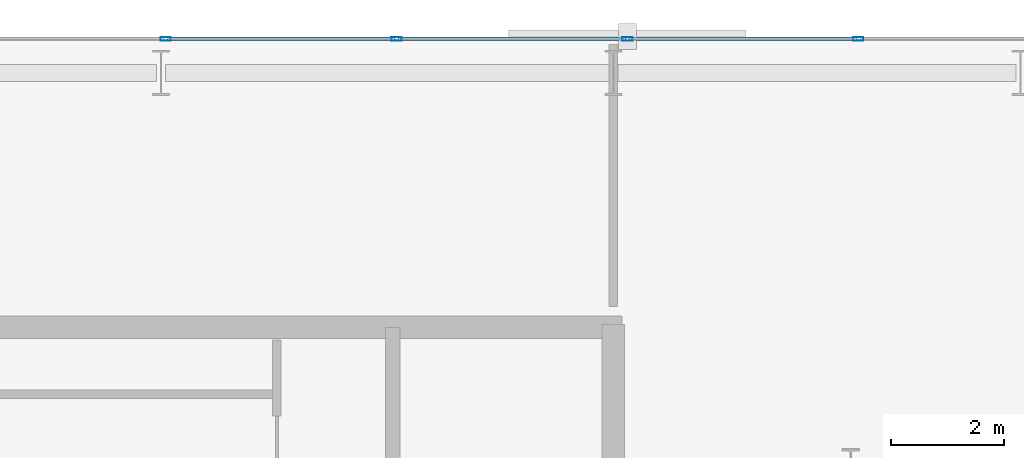
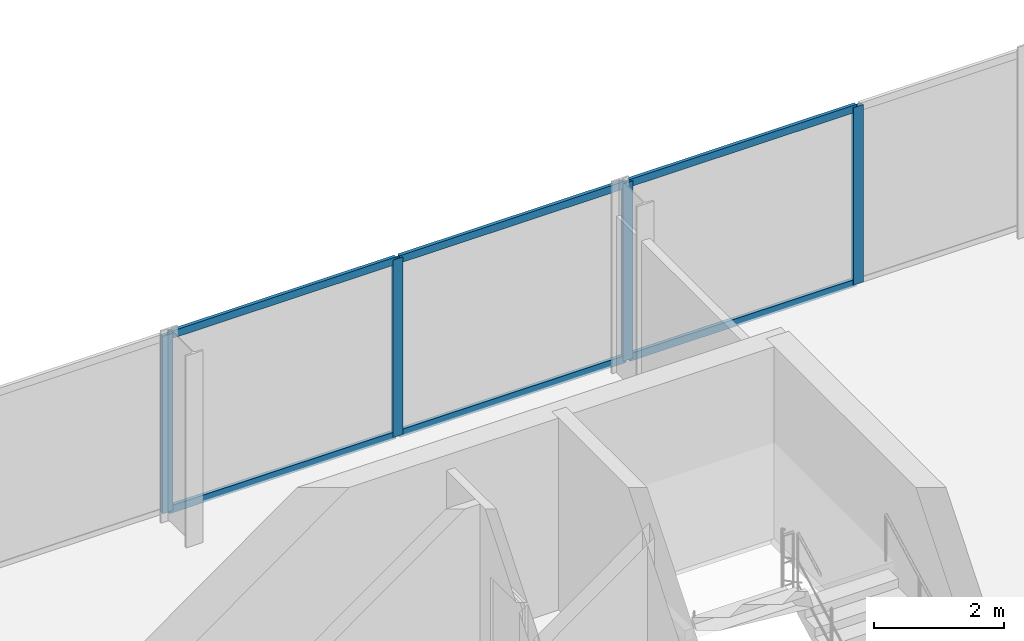
# One storey, part 26 of 33: 10 members, 1 element without a shape of its own.
"""IFC4 building model written with IfcOpenShell, lengths in metres."""

import ifcopenshell
import ifcopenshell.guid

model = None  # the IFC model being written
_history = None  # IfcOwnerHistory: only IFC2X3 demands one
_inside = {}  # id of a spatial element -> (the spatial element, [elements in it])
_under = {}  # id of a project, library or spatial element -> (it, [spatial elements below it])
_declared = {}  # id of a project -> (the project, [libraries it declares])
_typed = {}  # id of a type object -> (the type object, [elements of that type])
_made_of = {}  # id of a material, layer set ... -> (it, [elements and type objects made of it])


def new_model(schema):
    """Start an empty IFC model of exactly this schema.

    Asked for "IFC4X3", IfcOpenShell would pick the latest addendum, in which some entities
    have other attributes; the version numbers below select the first issue.
    IFC2X3 requires an IfcOwnerHistory on every rooted entity: one is made here for all.
    """
    global model, _history
    if schema == "IFC4X3":
        model = ifcopenshell.file(schema_version=(4, 3, 0, 0))
    else:
        model = ifcopenshell.file(schema=schema)
    _inside.clear()
    _under.clear()
    _declared.clear()
    _typed.clear()
    _made_of.clear()
    _history = None
    if model.schema == "IFC2X3":
        org = make("IfcOrganization", Name="unknown")
        user = make(
            "IfcPersonAndOrganization",
            ThePerson=make("IfcPerson", FamilyName="unknown"),
            TheOrganization=org,
        )
        app = make(
            "IfcApplication",
            ApplicationDeveloper=org,
            Version="unknown",
            ApplicationFullName="unknown",
            ApplicationIdentifier="unknown",
        )
        _history = make(
            "IfcOwnerHistory",
            OwningUser=user,
            OwningApplication=app,
            ChangeAction="ADDED",
            CreationDate=0,
        )
    return model


def make(cls, **values):
    """One entity of the class cls with the attributes given. An attribute that is None is left unset."""
    return model.create_entity(
        cls, **{name: value for name, value in values.items() if value is not None}
    )


def rooted(cls, **values):
    """An entity with a GlobalId (a new one), such as an element, a storey or a relation."""
    return make(cls, GlobalId=ifcopenshell.guid.new(), OwnerHistory=_history, **values)


def si_unit(unit_type, name, prefix=None):
    """IfcSIUnit, for example si_unit("LENGTHUNIT", "METRE", prefix="MILLI")."""
    return make("IfcSIUnit", UnitType=unit_type, Prefix=prefix, Name=name)


def assignment(units):
    """IfcUnitAssignment: the units of a project."""
    return None if units is None else make("IfcUnitAssignment", Units=units)


def point(xyz):
    """IfcCartesianPoint."""
    return None if xyz is None else make("IfcCartesianPoint", Coordinates=xyz)


def direction(xyz):
    """IfcDirection."""
    return None if xyz is None else make("IfcDirection", DirectionRatios=xyz)


def frame(location, z_axis=None, x_axis=None):
    """IfcAxis2Placement3D, a coordinate frame: its origin and axes. An axis left out is left unset."""
    return make(
        "IfcAxis2Placement3D",
        Location=point(location),
        Axis=direction(z_axis),
        RefDirection=direction(x_axis),
    )


def frame_2d(location, x_axis=None):
    """IfcAxis2Placement2D, a coordinate frame in the plane: its origin and x axis."""
    return make(
        "IfcAxis2Placement2D", Location=point(location), RefDirection=direction(x_axis)
    )


def origin():
    """The frame at (0, 0, 0) with its axes left unset."""
    return frame((0.0, 0.0, 0.0))


def origin_2d():
    """The frame at (0, 0) in the plane with its x axis left unset."""
    return frame_2d((0.0, 0.0))


def place(relative_to, where):
    """IfcLocalPlacement: puts the frame where relative to a parent placement (None: the world)."""
    return make(
        "IfcLocalPlacement", PlacementRelTo=relative_to, RelativePlacement=where
    )


def context(
    kind, dimensions, precision=None, world=None, true_north=None, identifier=None
):
    """IfcGeometricRepresentationContext, for example the 3D "Model" context."""
    return make(
        "IfcGeometricRepresentationContext",
        ContextIdentifier=identifier,
        ContextType=kind,
        CoordinateSpaceDimension=dimensions,
        Precision=precision,
        WorldCoordinateSystem=world,
        TrueNorth=true_north,
    )


def subcontext(parent, identifier, kind, view, scale=None):
    """IfcGeometricRepresentationSubContext, for example "Body" below "Model"."""
    return make(
        "IfcGeometricRepresentationSubContext",
        ContextIdentifier=identifier,
        ContextType=kind,
        ParentContext=parent,
        TargetScale=scale,
        TargetView=view,
    )


def project(units=None, contexts=None):
    """IfcProject with its units and contexts."""
    return rooted(
        "IfcProject",
        Name="project",
        RepresentationContexts=contexts,
        UnitsInContext=assignment(units),
    )


def spatial(cls, under=None, at=None, **own):
    """A site, building, storey or space (cls), placed at a placement, below another one or the project."""
    s = rooted(cls, ObjectPlacement=at, **own)
    if under is not None:
        _under.setdefault(under.id(), (under, []))[1].append(s)
    return s


def profile(cls, at=None, kind="AREA", **sizes):
    """A parametric profile (cls). Its sizes go by their IFC names, for example OverallWidth=200.0."""
    return make(cls, ProfileType=kind, Position=at, **sizes)


def hollow_rectangle(**sizes):
    """IfcRectangleHollowProfileDef."""
    return profile("IfcRectangleHollowProfileDef", **sizes)


def extrude(swept, where, along, depth):
    """IfcExtrudedAreaSolid: the profile swept, set in the frame where, extruded along a direction by depth."""
    return make(
        "IfcExtrudedAreaSolid",
        SweptArea=swept,
        Position=where,
        ExtrudedDirection=direction(along),
        Depth=depth,
    )


def shape(context_of_items, identifier, shape_type, items):
    """IfcShapeRepresentation: the items that make up one representation, for example the "Body"."""
    return make(
        "IfcShapeRepresentation",
        ContextOfItems=context_of_items,
        RepresentationIdentifier=identifier,
        RepresentationType=shape_type,
        Items=items,
    )


def material(Name=None, Category=None):
    """IfcMaterial."""
    return make("IfcMaterial", Name=Name, Category=Category)


def layer(
    of_material, thickness, ventilated=None, Name=None, Category=None, Priority=None
):
    """IfcMaterialLayer: one layer of a wall or slab, of a material (None: an air gap)."""
    return make(
        "IfcMaterialLayer",
        Material=of_material,
        LayerThickness=thickness,
        IsVentilated=ventilated,
        Name=Name,
        Category=Category,
        Priority=Priority,
    )


def layer_set(layers, Name=None):
    """IfcMaterialLayerSet."""
    return make("IfcMaterialLayerSet", MaterialLayers=layers, LayerSetName=Name)


def material_profile(
    of_material, cross_section, Name=None, Category=None, Priority=None
):
    """IfcMaterialProfile: a cross section and its material."""
    return make(
        "IfcMaterialProfile",
        Name=Name,
        Material=of_material,
        Profile=cross_section,
        Priority=Priority,
        Category=Category,
    )


def profile_set(profiles, Name=None, composite=None):
    """IfcMaterialProfileSet."""
    return make(
        "IfcMaterialProfileSet",
        Name=Name,
        MaterialProfiles=profiles,
        CompositeProfile=composite,
    )


def made_of(thing, what):
    """Note that an element or type object is made of a material, layer set ...; save() writes the relation."""
    if what is not None:
        _made_of.setdefault(what.id(), (what, []))[1].append(thing)
    return thing


def type_object(cls, material=None, **own):
    """A type object (cls), such as IfcWallType, which elements share."""
    return made_of(rooted(cls, **own), material)


def element(
    cls,
    number,
    at=None,
    inside=None,
    cuts=None,
    type_object=None,
    material=None,
    context=None,
    identifier="Body",
    shape_type=None,
    held_by="IfcProductDefinitionShape",
    body=None,
    shapes=None,
    **own,
):
    """One element of the class cls, such as IfcWall. Its Tag is "e" and its number.

    at: its placement. inside: the storey or other place that contains it. cuts: it is an
    opening in that element (IfcRelVoidsElement). A single representation is given by context,
    identifier, shape_type and body (its items); several are given by shapes. held_by: the class
    of the entity that holds the representations. save() writes the other relations.
    """
    e = rooted(cls, Tag="e%d" % number, ObjectPlacement=at, **own)
    if body is not None:
        shapes = [shape(context, identifier, shape_type, body)]
    if shapes is not None:
        e.Representation = make(held_by, Representations=shapes)
    if inside is not None:
        _inside.setdefault(inside.id(), (inside, []))[1].append(e)
    if cuts is not None:
        rooted(
            "IfcRelVoidsElement", RelatingBuildingElement=cuts, RelatedOpeningElement=e
        )
    if type_object is not None:
        _typed.setdefault(type_object.id(), (type_object, []))[1].append(e)
    return made_of(e, material)


def aggregate(whole, parts):
    """IfcRelAggregates: a whole, such as a stair, and the parts it consists of."""
    return rooted("IfcRelAggregates", RelatingObject=whole, RelatedObjects=parts)


def save(model, path):
    """Write the relations noted so far, then the file.

    IfcRelAggregates (storeys below a building ...), IfcRelContainedInSpatialStructure (elements
    in a storey), IfcRelDefinesByType, IfcRelAssociatesMaterial and IfcRelDeclares: one each for
    every whole, place, type object, material and project.
    """
    for whole, parts in _under.values():
        aggregate(whole, parts)
    for where, things in _inside.values():
        rooted(
            "IfcRelContainedInSpatialStructure",
            RelatedElements=things,
            RelatingStructure=where,
        )
    for kind, things in _typed.values():
        rooted("IfcRelDefinesByType", RelatedObjects=things, RelatingType=kind)
    for what, things in _made_of.values():
        rooted("IfcRelAssociatesMaterial", RelatedObjects=things, RelatingMaterial=what)
    for by, libraries in _declared.values():
        rooted("IfcRelDeclares", RelatingContext=by, RelatedDefinitions=libraries)
    model.write(path)


model = new_model("IFC4")

# Units and contexts
model_context = context("Model", 3, precision=1e-05, world=origin(), true_north=direction((0.0, 1.0)))
body_context = subcontext(model_context, "Body", "Model", "MODEL_VIEW")
ifc_project = project(units=[si_unit("LENGTHUNIT", "METRE"), si_unit("AREAUNIT", "SQUARE_METRE"), si_unit("VOLUMEUNIT", "CUBIC_METRE"), si_unit("PLANEANGLEUNIT", "RADIAN"), si_unit("MASSUNIT", "GRAM", prefix="KILO")], contexts=[model_context])

# Site, building, storey
site_placement = place(None, origin())
site = spatial("IfcSite", under=ifc_project, at=site_placement, CompositionType="ELEMENT")
building_placement = place(site_placement, origin())
building = spatial("IfcBuilding", under=site, at=building_placement, Name="Catumbela Crestline Tower", CompositionType="ELEMENT")
storey_placement = place(building_placement, frame((0.0, 0.0, 47.4)))
storey = spatial("IfcBuildingStorey", under=building, at=storey_placement, Name="L11", CompositionType="ELEMENT", Elevation=47.4)

# Curtain wall, members
ifc_material = material(Name="Aluminium alloy AW-6060-T66", Category="aluminium")
ifc_layer = layer(ifc_material, 0.18, Name="Aluminium alloy AW-6060-T66")
ifc_layer_set = layer_set([ifc_layer], Name="Aluminium alloy AW-6060-T66")
curtain_wall_type = type_object("IfcCurtainWallType", Name="CWU-Z1", PredefinedType="USERDEFINED", material=ifc_layer_set)
curtain_wall_placement = place(storey_placement, origin())
curtain_wall = element("IfcCurtainWall", 1, at=curtain_wall_placement, inside=storey, type_object=curtain_wall_type, Name="L11 Unitised Curtain Wall CW-L11-E7S1", ObjectType="UNITISED", PredefinedType="USERDEFINED")
ifc_material_profile_1 = material_profile(ifc_material, hollow_rectangle(XDim=0.065, YDim=0.18, WallThickness=0.004, at=origin_2d()), Name="ALU 180x65x4")
ifc_profile_set_1 = profile_set([ifc_material_profile_1], Name="Aluminium alloy AW-6060-T66")
member_type_1 = type_object("IfcMemberType", Name="MUL-180X65", PredefinedType="MULLION", material=ifc_profile_set_1)
member_1_placement = place(storey_placement, frame((44.3333, 48.0, 0.0), z_axis=(0.0, 0.0, 1.0), x_axis=(0.0, -1.0, 0.0)))
member_1 = element("IfcMember", 2, at=member_1_placement, type_object=member_type_1, Name="CWU-Z1 mullion 3", PredefinedType="MULLION", context=body_context, shape_type="SweptSolid", body=[
    extrude(hollow_rectangle(XDim=0.065, YDim=0.18, WallThickness=0.004, at=origin_2d()), origin(), (0.0, 0.0, 1.0), 3.33),
])
member_2_placement = place(storey_placement, frame((40.25, 48.0, 0.0), z_axis=(0.0, 0.0, 1.0), x_axis=(0.0, -1.0, 0.0)))
member_2 = element("IfcMember", 3, at=member_2_placement, type_object=member_type_1, Name="CWU-Z1 mullion 4", PredefinedType="MULLION", context=body_context, shape_type="SweptSolid", body=[
    extrude(hollow_rectangle(XDim=0.065, YDim=0.18, WallThickness=0.004, at=origin_2d()), origin(), (0.0, 0.0, 1.0), 3.33),
])
member_3_placement = place(storey_placement, frame((36.1667, 48.0, 0.0), z_axis=(0.0, 0.0, 1.0), x_axis=(0.0, -1.0, 0.0)))
member_3 = element("IfcMember", 4, at=member_3_placement, type_object=member_type_1, Name="CWU-Z1 mullion 5", PredefinedType="MULLION", context=body_context, shape_type="SweptSolid", body=[
    extrude(hollow_rectangle(XDim=0.065, YDim=0.18, WallThickness=0.004, at=origin_2d()), origin(), (0.0, 0.0, 1.0), 3.33),
])
member_4_placement = place(storey_placement, frame((32.0833, 48.0, 0.0), z_axis=(0.0, 0.0, 1.0), x_axis=(0.0, -1.0, 0.0)))
member_4 = element("IfcMember", 5, at=member_4_placement, type_object=member_type_1, Name="CWU-Z1 mullion 6", PredefinedType="MULLION", context=body_context, shape_type="SweptSolid", body=[
    extrude(hollow_rectangle(XDim=0.065, YDim=0.18, WallThickness=0.004, at=origin_2d()), origin(), (0.0, 0.0, 1.0), 3.33),
])
ifc_material_profile_2 = material_profile(ifc_material, hollow_rectangle(XDim=0.06, YDim=0.14, WallThickness=0.004, at=origin_2d()), Name="ALU 140x60x4")
ifc_profile_set_2 = profile_set([ifc_material_profile_2], Name="Aluminium alloy AW-6060-T66")
member_type_2 = type_object("IfcMemberType", Name="TRN-140X60", PredefinedType="USERDEFINED", material=ifc_profile_set_2)
member_5_placement = place(storey_placement, frame((44.3008, 48.0, 0.03), z_axis=(-1.0, 0.0, 0.0), x_axis=(0.0, -1.0, 0.0)))
member_5 = element("IfcMember", 6, at=member_5_placement, type_object=member_type_2, Name="CWU-Z1 transom 3.1", ObjectType="TRANSOM", PredefinedType="USERDEFINED", context=body_context, shape_type="SweptSolid", body=[
    extrude(hollow_rectangle(XDim=0.06, YDim=0.14, WallThickness=0.004, at=origin_2d()), origin(), (0.0, 0.0, 1.0), 4.0183),
])
member_6_placement = place(storey_placement, frame((44.3008, 48.0, 3.3), z_axis=(-1.0, 0.0, 0.0), x_axis=(0.0, -1.0, 0.0)))
member_6 = element("IfcMember", 7, at=member_6_placement, type_object=member_type_2, Name="CWU-Z1 transom 3.2", ObjectType="TRANSOM", PredefinedType="USERDEFINED", context=body_context, shape_type="SweptSolid", body=[
    extrude(hollow_rectangle(XDim=0.06, YDim=0.14, WallThickness=0.004, at=origin_2d()), origin(), (0.0, 0.0, 1.0), 4.0183),
])
member_7_placement = place(storey_placement, frame((40.2175, 48.0, 0.03), z_axis=(-1.0, 0.0, 0.0), x_axis=(0.0, -1.0, 0.0)))
member_7 = element("IfcMember", 8, at=member_7_placement, type_object=member_type_2, Name="CWU-Z1 transom 4.1", ObjectType="TRANSOM", PredefinedType="USERDEFINED", context=body_context, shape_type="SweptSolid", body=[
    extrude(hollow_rectangle(XDim=0.06, YDim=0.14, WallThickness=0.004, at=origin_2d()), origin(), (0.0, 0.0, 1.0), 4.0183),
])
member_8_placement = place(storey_placement, frame((40.2175, 48.0, 3.3), z_axis=(-1.0, 0.0, 0.0), x_axis=(0.0, -1.0, 0.0)))
member_8 = element("IfcMember", 9, at=member_8_placement, type_object=member_type_2, Name="CWU-Z1 transom 4.2", ObjectType="TRANSOM", PredefinedType="USERDEFINED", context=body_context, shape_type="SweptSolid", body=[
    extrude(hollow_rectangle(XDim=0.06, YDim=0.14, WallThickness=0.004, at=origin_2d()), origin(), (0.0, 0.0, 1.0), 4.0183),
])
member_9_placement = place(storey_placement, frame((36.1342, 48.0, 0.03), z_axis=(-1.0, 0.0, 0.0), x_axis=(0.0, -1.0, 0.0)))
member_9 = element("IfcMember", 10, at=member_9_placement, type_object=member_type_2, Name="CWU-Z1 transom 5.1", ObjectType="TRANSOM", PredefinedType="USERDEFINED", context=body_context, shape_type="SweptSolid", body=[
    extrude(hollow_rectangle(XDim=0.06, YDim=0.14, WallThickness=0.004, at=origin_2d()), origin(), (0.0, 0.0, 1.0), 4.0184),
])
member_10_placement = place(storey_placement, frame((36.1342, 48.0, 3.3), z_axis=(-1.0, 0.0, 0.0), x_axis=(0.0, -1.0, 0.0)))
member_10 = element("IfcMember", 11, at=member_10_placement, type_object=member_type_2, Name="CWU-Z1 transom 5.2", ObjectType="TRANSOM", PredefinedType="USERDEFINED", context=body_context, shape_type="SweptSolid", body=[
    extrude(hollow_rectangle(XDim=0.06, YDim=0.14, WallThickness=0.004, at=origin_2d()), origin(), (0.0, 0.0, 1.0), 4.0184),
])
aggregate(curtain_wall, [member_1, member_2, member_3, member_4, member_5, member_6, member_7, member_8, member_9, member_10])

save(model, "model.ifc")
